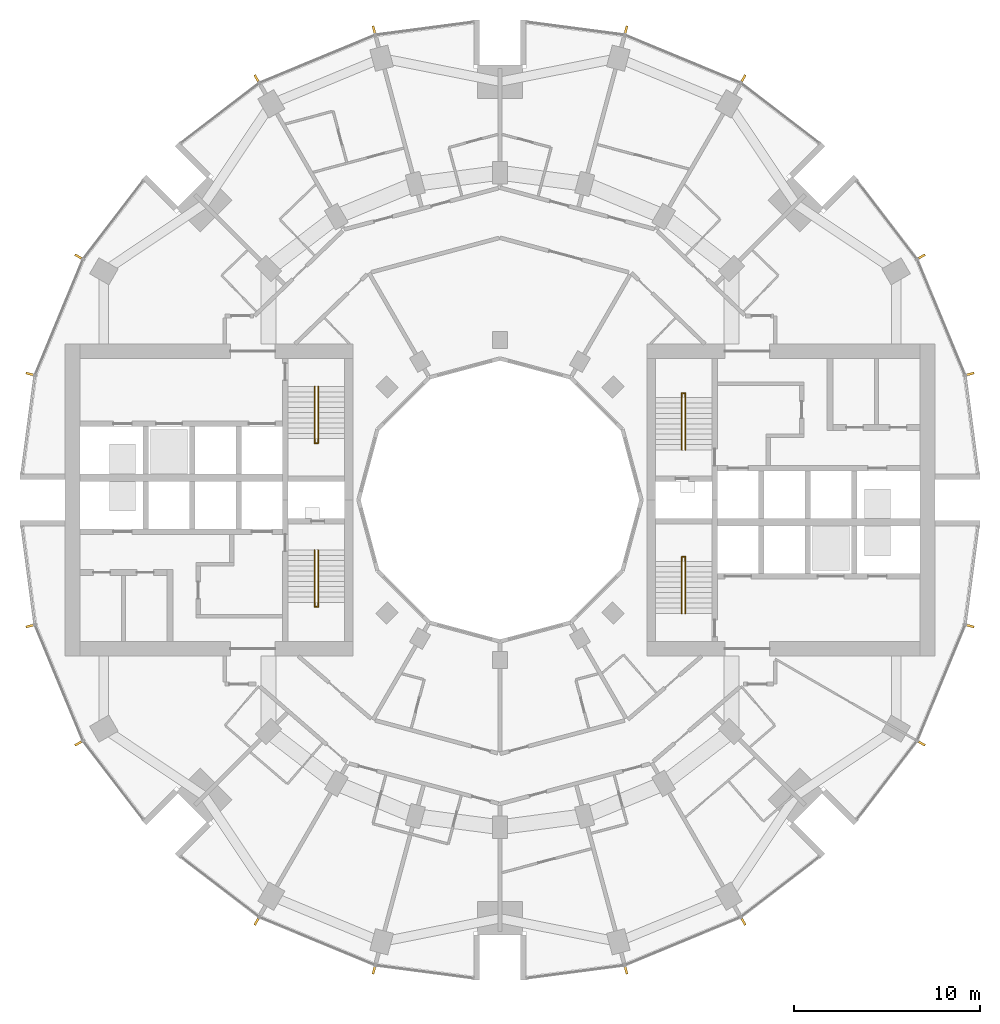
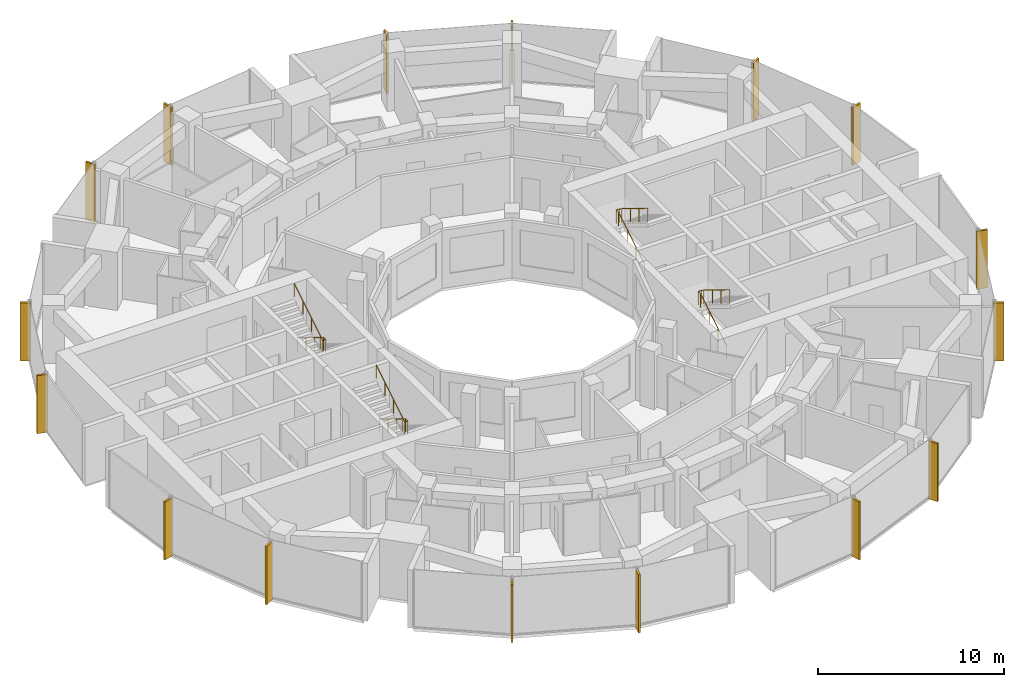
# One storey, part 14 of 15: 16 shading devices, 4 railings.
"""IFC4 building model written with IfcOpenShell, lengths in metres."""

from ifc_helpers import new_model, si_unit, direction, frame, origin, origin_2d, place, context, subcontext, project, spatial, rectangle, circle, extrude, material, material_profile, profile_set, type_object, element, save


model = new_model("IFC4")

# Units and contexts
model_context = context("Model", 3, precision=1e-05, world=origin(), true_north=direction((0.0, 1.0)))
body_context = subcontext(model_context, "Body", "Model", "MODEL_VIEW")
ifc_project = project(units=[si_unit("LENGTHUNIT", "METRE"), si_unit("AREAUNIT", "SQUARE_METRE"), si_unit("VOLUMEUNIT", "CUBIC_METRE"), si_unit("PLANEANGLEUNIT", "RADIAN"), si_unit("MASSUNIT", "GRAM", prefix="KILO")], contexts=[model_context])

# Site, building, storey
site_placement = place(None, origin())
site = spatial("IfcSite", under=ifc_project, at=site_placement, CompositionType="ELEMENT")
building_placement = place(site_placement, origin())
building = spatial("IfcBuilding", under=site, at=building_placement, Name="Torre Brocal", CompositionType="ELEMENT")
storey_placement = place(building_placement, frame((0.0, 0.0, 44.0)))
storey = spatial("IfcBuildingStorey", under=building, at=storey_placement, Name="L09", CompositionType="ELEMENT", Elevation=44.0)

# Shading devices
ifc_material_1 = material(Name="Aluminium, black anodised", Category="aluminium")
ifc_material_profile = material_profile(ifc_material_1, rectangle(XDim=0.1201171875, YDim=0.60009765625, at=origin_2d()), Name="FIN 120X600 3800 HIGH")
ifc_profile_set = profile_set([ifc_material_profile], Name="Aluminium, black anodised")
shading_device_type = type_object("IfcShadingDeviceType", Name="FIN 120X600 3800 HIGH", PredefinedType="USERDEFINED", material=ifc_profile_set)
for number, where, z_axis, x_axis, name in (
    (1, (105.208984375, 81.754638671875, -0.14990234375), (0.0, 0.0, 1.0), (-0.258819045103, 0.965925826289, 0.0), "FIN"),
    (2, (102.601806640625, 88.049072265625, -0.14990234375), (0.0, 0.0, 1.0), (-0.5, 0.866025403784, 0.0), "FIN"),
    (3, (93.049072265625, 97.601806640625, -0.14990234375), (0.0, 0.0, 1.0), (-0.866025403784, 0.5, 0.0), "FIN"),
    (4, (86.754638671875, 100.208984375, -0.14990234375), (0.0, 0.0, 1.0), (-0.965925826289, 0.258819045103, 0.0), "FIN"),
    (5, (73.245361328125, 100.208984375, -0.14990234375), (0.0, 0.0, 1.0), (-0.965925826289, -0.258819045103, 0.0), "FIN"),
    (6, (66.950927734375, 97.601806640625, -0.14990234375), (0.0, 0.0, 1.0), (-0.866025403784, -0.5, 0.0), "FIN"),
    (7, (57.398193359375, 88.049072265625, -0.14990234375), (0.0, 0.0, 1.0), (-0.5, -0.866025403784, 0.0), "FIN"),
    (8, (54.791015625, 81.754638671875, -0.14990234375), (0.0, 0.0, 1.0), (-0.258819045103, -0.965925826289, 0.0), "FIN"),
    (9, (54.791015625, 68.245361328125, -0.14990234375), (0.0, 0.0, 1.0), (0.258819045103, -0.965925826289, 0.0), "FIN"),
    (10, (57.398193359375, 61.950927734375, -0.14990234375), (0.0, 0.0, 1.0), (0.5, -0.866025403784, 0.0), "FIN"),
    (11, (66.950927734375, 52.398193359375, -0.14990234375), (0.0, 0.0, 1.0), (0.866025403784, -0.5, 0.0), "FIN"),
    (12, (73.245361328125, 49.791015625, -0.14990234375), (0.0, 0.0, 1.0), (0.965925826289, -0.258819045103, 0.0), "FIN"),
    (13, (86.754638671875, 49.791015625, -0.14990234375), (0.0, 0.0, 1.0), (0.965925826289, 0.258819045103, 0.0), "FIN"),
    (14, (93.049072265625, 52.398193359375, -0.14990234375), (0.0, 0.0, 1.0), (0.866025403784, 0.5, 0.0), "FIN"),
    (15, (102.601806640625, 61.950927734375, -0.14990234375), (0.0, 0.0, 1.0), (0.5, 0.866025403784, 0.0), "FIN"),
    (16, (105.208984375, 68.245361328125, -0.14990234375), (0.0, 0.0, 1.0), (0.258819045103, 0.965925826289, 0.0), "FIN"),
):
    element("IfcShadingDevice", number, at=place(storey_placement, frame(where, z_axis=z_axis, x_axis=x_axis)), inside=storey, type_object=shading_device_type, Name=name, ObjectType="FIN", PredefinedType="USERDEFINED", context=body_context, shape_type="SweptSolid", body=[
        extrude(rectangle(XDim=0.1201171875, YDim=0.60009765625, at=origin_2d()), origin(), (0.0, 0.0, 1.0), 3.7998046875),
    ])

# Railings
ifc_material_2 = material(Name="Stainless steel AISI 316", Category="steel")
railing_type = type_object("IfcRailingType", Name="STAIR HANDRAIL", PredefinedType="HANDRAIL", material=ifc_material_2)
railing_1_placement = place(storey_placement, frame((89.780029296875, 77.699951171875, 0.172607421875)))
element("IfcRailing", 17, at=railing_1_placement, inside=storey, type_object=railing_type, Name="HANDRAIL ST1", PredefinedType="HANDRAIL", context=body_context, shape_type="SweptSolid", body=[
    extrude(circle(Radius=0.02392578125, at=origin_2d()), frame((0.0, 0.0, 0.8759765625), z_axis=(0.0, 0.851089632645, 0.525020415988), x_axis=(-1.0, 0.0, 0.0)), (0.0, 0.0, 1.0), 3.2900390625),
    extrude(circle(Radius=0.02392578125, at=origin_2d()), frame((0.0, 2.800048828125, 2.60302734375), z_axis=(0.0, 1.0, 0.0), x_axis=(-1.0, 0.0, 0.0)), (0.0, 0.0, 1.0), 0.25),
    extrude(circle(Radius=0.02392578125, at=origin_2d()), frame((0.0, 3.050048828125, 2.60302734375), z_axis=(1.0, 0.0, 0.0), x_axis=(0.0, 1.0, 0.0)), (0.0, 0.0, 1.0), 0.18994140625),
    extrude(circle(Radius=0.02392578125, at=origin_2d()), frame((0.18994140625, 3.050048828125, 2.60302734375), z_axis=(0.0, -0.82253904752, 0.568708638324), x_axis=(1.0, 0.0, 0.0)), (0.0, 0.0, 1.0), 0.303955078125),
    extrude(circle(Radius=0.02392578125, at=origin_2d()), frame((0.18994140625, 2.800048828125, 2.77587890625), z_axis=(0.0, -0.851089632645, 0.525020415988), x_axis=(1.0, 0.0, 0.0)), (0.0, 0.0, 1.0), 3.2900390625),
    extrude(circle(Radius=0.02099609375, at=origin_2d()), origin(), (0.0, 0.0, 1.0), 0.851806640625),
    extrude(circle(Radius=0.02099609375, at=origin_2d()), frame((0.0, 0.933349609375, 0.57568359375)), (0.0, 0.0, 1.0), 0.851806640625),
    extrude(circle(Radius=0.02099609375, at=origin_2d()), frame((0.0, 1.86669921875, 1.151611328125)), (0.0, 0.0, 1.0), 0.851806640625),
    extrude(circle(Radius=0.02099609375, at=origin_2d()), frame((0.0, 2.800048828125, 1.727294921875)), (0.0, 0.0, 1.0), 0.851806640625),
    extrude(circle(Radius=0.02099609375, at=origin_2d()), frame((0.0, 3.050048828125, 1.727294921875)), (0.0, 0.0, 1.0), 0.851806640625),
    extrude(circle(Radius=0.02099609375, at=origin_2d()), frame((0.18994140625, 3.050048828125, 1.727294921875)), (0.0, 0.0, 1.0), 0.851806640625),
    extrude(circle(Radius=0.02099609375, at=origin_2d()), frame((0.18994140625, 2.800048828125, 1.900146484375)), (0.0, 0.0, 1.0), 0.851806640625),
    extrude(circle(Radius=0.02099609375, at=origin_2d()), frame((0.18994140625, 1.86669921875, 2.475830078125)), (0.0, 0.0, 1.0), 0.851806640625),
    extrude(circle(Radius=0.02099609375, at=origin_2d()), frame((0.18994140625, 0.933349609375, 3.0517578125)), (0.0, 0.0, 1.0), 0.851806640625),
    extrude(circle(Radius=0.02099609375, at=origin_2d()), frame((0.18994140625, 0.0, 3.62744140625)), (0.0, 0.0, 1.0), 0.851806640625),
])
railing_2_placement = place(storey_placement, frame((89.780029296875, 68.89990234375, 0.172607421875)))
element("IfcRailing", 18, at=railing_2_placement, inside=storey, type_object=railing_type, Name="HANDRAIL ST2", PredefinedType="HANDRAIL", context=body_context, shape_type="SweptSolid", body=[
    extrude(circle(Radius=0.02392578125, at=origin_2d()), frame((0.0, 0.0, 0.8759765625), z_axis=(0.0, 0.851089632645, 0.525020415988), x_axis=(-1.0, 0.0, 0.0)), (0.0, 0.0, 1.0), 3.2900390625),
    extrude(circle(Radius=0.02392578125, at=origin_2d()), frame((0.0, 2.800048828125, 2.60302734375), z_axis=(0.0, 1.0, 0.0), x_axis=(-1.0, 0.0, 0.0)), (0.0, 0.0, 1.0), 0.25),
    extrude(circle(Radius=0.02392578125, at=origin_2d()), frame((0.0, 3.050048828125, 2.60302734375), z_axis=(1.0, 0.0, 0.0), x_axis=(0.0, 1.0, 0.0)), (0.0, 0.0, 1.0), 0.18994140625),
    extrude(circle(Radius=0.02392578125, at=origin_2d()), frame((0.18994140625, 3.050048828125, 2.60302734375), z_axis=(0.0, -0.82253904752, 0.568708638324), x_axis=(1.0, 0.0, 0.0)), (0.0, 0.0, 1.0), 0.303955078125),
    extrude(circle(Radius=0.02392578125, at=origin_2d()), frame((0.18994140625, 2.800048828125, 2.77587890625), z_axis=(0.0, -0.851089632645, 0.525020415988), x_axis=(1.0, 0.0, 0.0)), (0.0, 0.0, 1.0), 3.2900390625),
    extrude(circle(Radius=0.02099609375, at=origin_2d()), origin(), (0.0, 0.0, 1.0), 0.851806640625),
    extrude(circle(Radius=0.02099609375, at=origin_2d()), frame((0.0, 0.933349609375, 0.57568359375)), (0.0, 0.0, 1.0), 0.851806640625),
    extrude(circle(Radius=0.02099609375, at=origin_2d()), frame((0.0, 1.86669921875, 1.151611328125)), (0.0, 0.0, 1.0), 0.851806640625),
    extrude(circle(Radius=0.02099609375, at=origin_2d()), frame((0.0, 2.800048828125, 1.727294921875)), (0.0, 0.0, 1.0), 0.851806640625),
    extrude(circle(Radius=0.02099609375, at=origin_2d()), frame((0.0, 3.050048828125, 1.727294921875)), (0.0, 0.0, 1.0), 0.851806640625),
    extrude(circle(Radius=0.02099609375, at=origin_2d()), frame((0.18994140625, 3.050048828125, 1.727294921875)), (0.0, 0.0, 1.0), 0.851806640625),
    extrude(circle(Radius=0.02099609375, at=origin_2d()), frame((0.18994140625, 2.800048828125, 1.900146484375)), (0.0, 0.0, 1.0), 0.851806640625),
    extrude(circle(Radius=0.02099609375, at=origin_2d()), frame((0.18994140625, 1.86669921875, 2.475830078125)), (0.0, 0.0, 1.0), 0.851806640625),
    extrude(circle(Radius=0.02099609375, at=origin_2d()), frame((0.18994140625, 0.933349609375, 3.0517578125)), (0.0, 0.0, 1.0), 0.851806640625),
    extrude(circle(Radius=0.02099609375, at=origin_2d()), frame((0.18994140625, 0.0, 3.62744140625)), (0.0, 0.0, 1.0), 0.851806640625),
])
railing_3_placement = place(storey_placement, frame((70.219970703125, 72.300048828125, 0.172607421875)))
element("IfcRailing", 19, at=railing_3_placement, inside=storey, type_object=railing_type, Name="HANDRAIL ST3", PredefinedType="HANDRAIL", context=body_context, shape_type="SweptSolid", body=[
    extrude(circle(Radius=0.02392578125, at=origin_2d()), frame((0.0, 0.0, 0.8759765625), z_axis=(0.0, -0.851089632645, 0.525020415988), x_axis=(1.0, 0.0, 0.0)), (0.0, 0.0, 1.0), 3.2900390625),
    extrude(circle(Radius=0.02392578125, at=origin_2d()), frame((0.0, -2.800048828125, 2.60302734375), z_axis=(0.0, -1.0, 0.0), x_axis=(1.0, 0.0, 0.0)), (0.0, 0.0, 1.0), 0.25),
    extrude(circle(Radius=0.02392578125, at=origin_2d()), frame((0.0, -3.050048828125, 2.60302734375), z_axis=(-1.0, 0.0, 0.0), x_axis=(0.0, -1.0, 0.0)), (0.0, 0.0, 1.0), 0.18994140625),
    extrude(circle(Radius=0.02392578125, at=origin_2d()), frame((-0.18994140625, -3.050048828125, 2.60302734375), z_axis=(0.0, 0.82253904752, 0.568708638324), x_axis=(-1.0, 0.0, 0.0)), (0.0, 0.0, 1.0), 0.303955078125),
    extrude(circle(Radius=0.02392578125, at=origin_2d()), frame((-0.18994140625, -2.800048828125, 2.77587890625), z_axis=(0.0, 0.851089632645, 0.525020415988), x_axis=(-1.0, 0.0, 0.0)), (0.0, 0.0, 1.0), 3.2900390625),
    extrude(circle(Radius=0.02099609375, at=origin_2d()), origin(), (0.0, 0.0, 1.0), 0.851806640625),
    extrude(circle(Radius=0.02099609375, at=origin_2d()), frame((0.0, -0.933349609375, 0.57568359375)), (0.0, 0.0, 1.0), 0.851806640625),
    extrude(circle(Radius=0.02099609375, at=origin_2d()), frame((0.0, -1.86669921875, 1.151611328125)), (0.0, 0.0, 1.0), 0.851806640625),
    extrude(circle(Radius=0.02099609375, at=origin_2d()), frame((0.0, -2.800048828125, 1.727294921875)), (0.0, 0.0, 1.0), 0.851806640625),
    extrude(circle(Radius=0.02099609375, at=origin_2d()), frame((0.0, -3.050048828125, 1.727294921875)), (0.0, 0.0, 1.0), 0.851806640625),
    extrude(circle(Radius=0.02099609375, at=origin_2d()), frame((-0.18994140625, -3.050048828125, 1.727294921875)), (0.0, 0.0, 1.0), 0.851806640625),
    extrude(circle(Radius=0.02099609375, at=origin_2d()), frame((-0.18994140625, -2.800048828125, 1.900146484375)), (0.0, 0.0, 1.0), 0.851806640625),
    extrude(circle(Radius=0.02099609375, at=origin_2d()), frame((-0.18994140625, -1.86669921875, 2.475830078125)), (0.0, 0.0, 1.0), 0.851806640625),
    extrude(circle(Radius=0.02099609375, at=origin_2d()), frame((-0.18994140625, -0.933349609375, 3.0517578125)), (0.0, 0.0, 1.0), 0.851806640625),
    extrude(circle(Radius=0.02099609375, at=origin_2d()), frame((-0.18994140625, 0.0, 3.62744140625)), (0.0, 0.0, 1.0), 0.851806640625),
])
railing_4_placement = place(storey_placement, frame((70.219970703125, 81.10009765625, 0.172607421875)))
element("IfcRailing", 20, at=railing_4_placement, inside=storey, type_object=railing_type, Name="HANDRAIL ST4", PredefinedType="HANDRAIL", context=body_context, shape_type="SweptSolid", body=[
    extrude(circle(Radius=0.02392578125, at=origin_2d()), frame((0.0, 0.0, 0.8759765625), z_axis=(0.0, -0.851089632645, 0.525020415988), x_axis=(1.0, 0.0, 0.0)), (0.0, 0.0, 1.0), 3.2900390625),
    extrude(circle(Radius=0.02392578125, at=origin_2d()), frame((0.0, -2.800048828125, 2.60302734375), z_axis=(0.0, -1.0, 0.0), x_axis=(1.0, 0.0, 0.0)), (0.0, 0.0, 1.0), 0.25),
    extrude(circle(Radius=0.02392578125, at=origin_2d()), frame((0.0, -3.050048828125, 2.60302734375), z_axis=(-1.0, 0.0, 0.0), x_axis=(0.0, -1.0, 0.0)), (0.0, 0.0, 1.0), 0.18994140625),
    extrude(circle(Radius=0.02392578125, at=origin_2d()), frame((-0.18994140625, -3.050048828125, 2.60302734375), z_axis=(0.0, 0.82253904752, 0.568708638324), x_axis=(-1.0, 0.0, 0.0)), (0.0, 0.0, 1.0), 0.303955078125),
    extrude(circle(Radius=0.02392578125, at=origin_2d()), frame((-0.18994140625, -2.800048828125, 2.77587890625), z_axis=(0.0, 0.851089632645, 0.525020415988), x_axis=(-1.0, 0.0, 0.0)), (0.0, 0.0, 1.0), 3.2900390625),
    extrude(circle(Radius=0.02099609375, at=origin_2d()), origin(), (0.0, 0.0, 1.0), 0.851806640625),
    extrude(circle(Radius=0.02099609375, at=origin_2d()), frame((0.0, -0.933349609375, 0.57568359375)), (0.0, 0.0, 1.0), 0.851806640625),
    extrude(circle(Radius=0.02099609375, at=origin_2d()), frame((0.0, -1.86669921875, 1.151611328125)), (0.0, 0.0, 1.0), 0.851806640625),
    extrude(circle(Radius=0.02099609375, at=origin_2d()), frame((0.0, -2.800048828125, 1.727294921875)), (0.0, 0.0, 1.0), 0.851806640625),
    extrude(circle(Radius=0.02099609375, at=origin_2d()), frame((0.0, -3.050048828125, 1.727294921875)), (0.0, 0.0, 1.0), 0.851806640625),
    extrude(circle(Radius=0.02099609375, at=origin_2d()), frame((-0.18994140625, -3.050048828125, 1.727294921875)), (0.0, 0.0, 1.0), 0.851806640625),
    extrude(circle(Radius=0.02099609375, at=origin_2d()), frame((-0.18994140625, -2.800048828125, 1.900146484375)), (0.0, 0.0, 1.0), 0.851806640625),
    extrude(circle(Radius=0.02099609375, at=origin_2d()), frame((-0.18994140625, -1.86669921875, 2.475830078125)), (0.0, 0.0, 1.0), 0.851806640625),
    extrude(circle(Radius=0.02099609375, at=origin_2d()), frame((-0.18994140625, -0.933349609375, 3.0517578125)), (0.0, 0.0, 1.0), 0.851806640625),
    extrude(circle(Radius=0.02099609375, at=origin_2d()), frame((-0.18994140625, 0.0, 3.62744140625)), (0.0, 0.0, 1.0), 0.851806640625),
])

save(model, "model.ifc")
